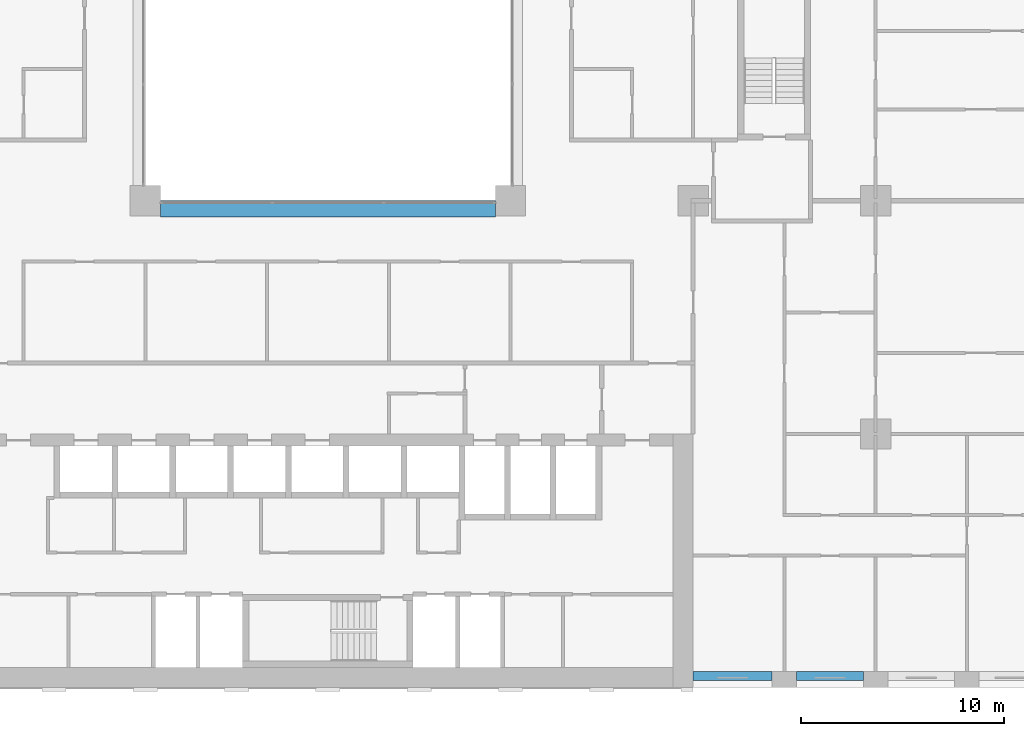
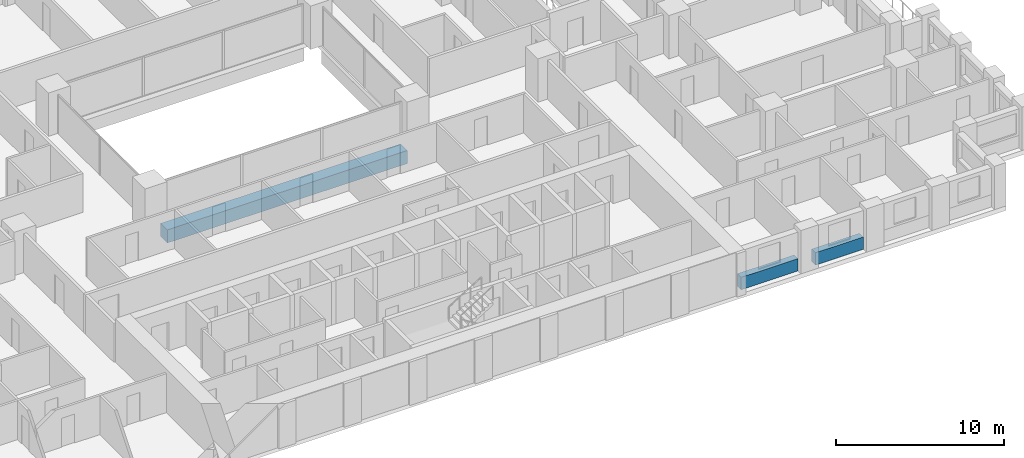
# One storey, part 3 of 19: 3 beams.
"""IFC4 building model written with IfcOpenShell, lengths in metres."""

from ifc_helpers import new_model, si_unit, direction, frame, origin, origin_2d, place, context, subcontext, project, spatial, rectangle, extrude, material, material_profile, profile_set, type_object, element, save


model = new_model("IFC4")

# Units and contexts
model_context = context("Model", 3, precision=1e-05, world=origin(), true_north=direction((0.0, 1.0)))
body_context = subcontext(model_context, "Body", "Model", "MODEL_VIEW")
ifc_project = project(units=[si_unit("LENGTHUNIT", "METRE"), si_unit("AREAUNIT", "SQUARE_METRE"), si_unit("VOLUMEUNIT", "CUBIC_METRE"), si_unit("PLANEANGLEUNIT", "RADIAN"), si_unit("MASSUNIT", "GRAM", prefix="KILO")], contexts=[model_context])

# Site, building, storey
site_placement = place(None, origin())
site = spatial("IfcSite", under=ifc_project, at=site_placement, CompositionType="ELEMENT")
building_placement = place(site_placement, origin())
building = spatial("IfcBuilding", under=site, at=building_placement, Name="Brigalow Station Residences", CompositionType="ELEMENT")
storey_placement = place(building_placement, frame((0.0, 0.0, 25.800048828125)))
storey = spatial("IfcBuildingStorey", under=building, at=storey_placement, Name="L06", CompositionType="ELEMENT", Elevation=25.800048828125)

# Beams
ifc_material_1 = material(Name="Concrete C65", Category="concrete")
ifc_material_profile_1 = material_profile(ifc_material_1, rectangle(XDim=0.800048828125, YDim=0.949951171875, at=origin_2d()), Name="RC800x950")
ifc_profile_set_1 = profile_set([ifc_material_profile_1], Name="Concrete C65")
beam_type_1 = type_object("IfcBeamType", Name="ATRIUM EDGE GIRDER OVER 13.5 M SPAN 800x950 C65", PredefinedType="BEAM", material=ifc_profile_set_1)
beam_1_placement = place(storey_placement, frame((27.75, 23.60009765625, -0.795166015625), z_axis=(1.0, 0.0, 0.0), x_axis=(0.0, 1.0, 0.0)))
element("IfcBeam", 1, at=beam_1_placement, inside=storey, type_object=beam_type_1, Name="ATRIUM EDGE GIRDER C L06", PredefinedType="BEAM", context=body_context, shape_type="SweptSolid", body=[
    extrude(rectangle(XDim=0.800048828125, YDim=0.949951171875, at=origin_2d()), origin(), (0.0, 0.0, 1.0), 16.5),
])
ifc_material_2 = material(Name="Concrete C65", Category="concrete")
ifc_material_profile_2 = material_profile(ifc_material_2, rectangle(XDim=0.449951171875, YDim=0.89990234375, at=origin_2d()), Name="RC450x900")
ifc_profile_set_2 = profile_set([ifc_material_profile_2], Name="Concrete C65")
beam_type_2 = type_object("IfcBeamType", Name="SPANDREL BEAM 450x900 C65", PredefinedType="SPANDREL", material=ifc_profile_set_2)
beam_2_placement = place(storey_placement, frame((54.0, 0.574951171875, 0.449951171875), z_axis=(1.0, 0.0, 0.0), x_axis=(0.0, 1.0, 0.0)))
element("IfcBeam", 2, at=beam_2_placement, inside=storey, type_object=beam_type_2, Name="L06/spandrel/W-L06-5", PredefinedType="SPANDREL", context=body_context, shape_type="SweptSolid", body=[
    extrude(rectangle(XDim=0.449951171875, YDim=0.89990234375, at=origin_2d()), origin(), (0.0, 0.0, 1.0), 3.89990234375),
])
beam_3_placement = place(storey_placement, frame((59.10009765625, 0.574951171875, 0.449951171875), z_axis=(1.0, 0.0, 0.0), x_axis=(0.0, 1.0, 0.0)))
element("IfcBeam", 3, at=beam_3_placement, inside=storey, type_object=beam_type_2, Name="L06/spandrel/W-L06-6", PredefinedType="SPANDREL", context=body_context, shape_type="SweptSolid", body=[
    extrude(rectangle(XDim=0.449951171875, YDim=0.89990234375, at=origin_2d()), origin(), (0.0, 0.0, 1.0), 3.2998046875),
])

save(model, "model.ifc")
